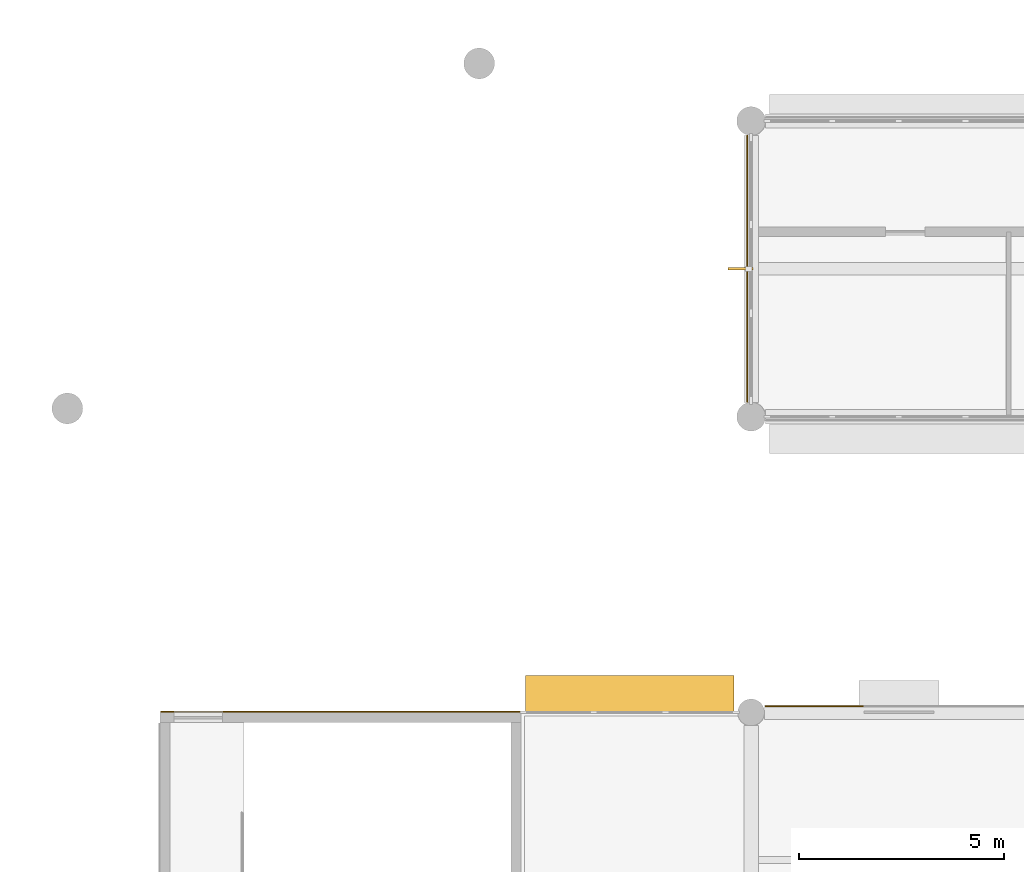
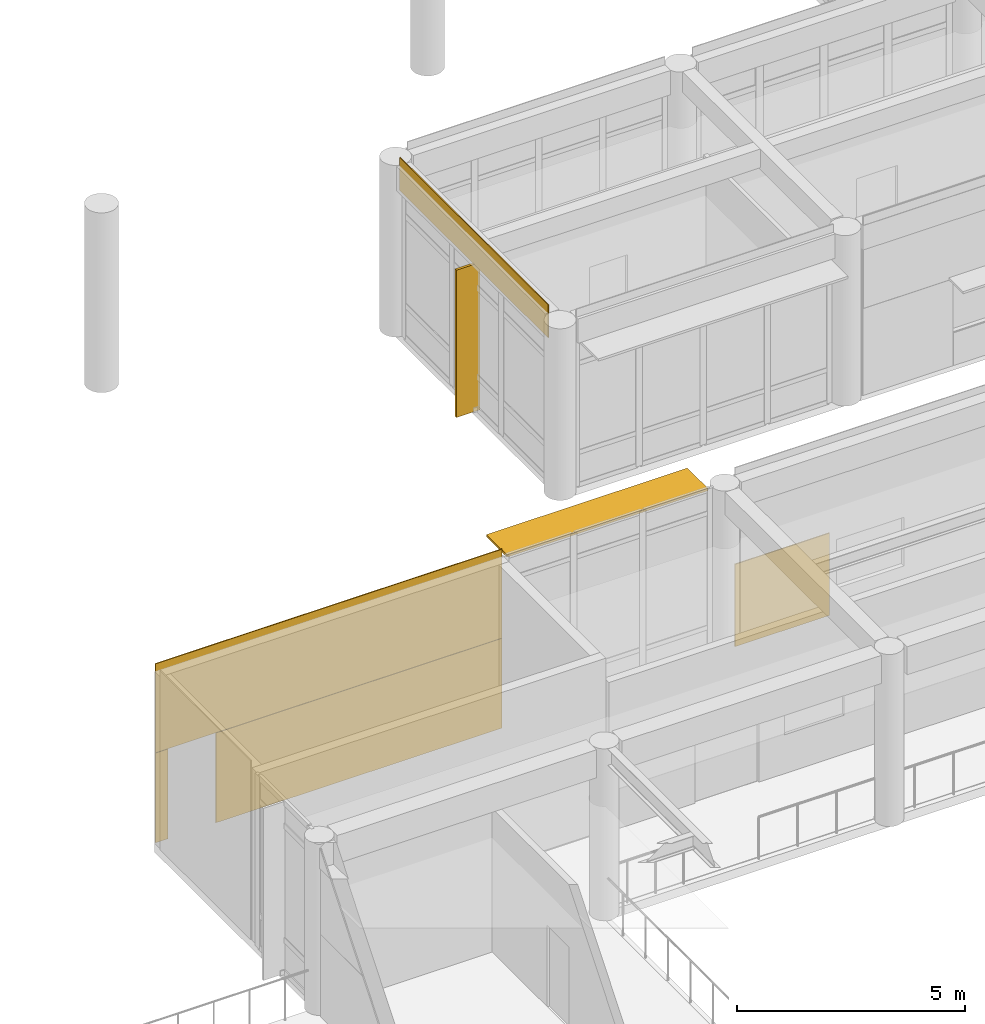
# One storey, part 78 of 92: 5 coverings, 2 shading devices.
"""IFC4 building model written with IfcOpenShell, lengths in metres."""

from ifc_helpers import new_model, si_unit, direction, frame, origin, origin_2d, place, context, subcontext, project, spatial, rectangle, extrude, material, layer, layer_set, type_object, element, save


model = new_model("IFC4")

# Units and contexts
model_context = context("Model", 3, precision=1e-05, world=origin(), true_north=direction((0.0, 1.0)))
body_context = subcontext(model_context, "Body", "Model", "MODEL_VIEW")
ifc_project = project(units=[si_unit("LENGTHUNIT", "METRE"), si_unit("AREAUNIT", "SQUARE_METRE"), si_unit("VOLUMEUNIT", "CUBIC_METRE"), si_unit("PLANEANGLEUNIT", "RADIAN"), si_unit("MASSUNIT", "GRAM", prefix="KILO")], contexts=[model_context])

# Site, building, storey
site_placement = place(None, origin())
site = spatial("IfcSite", under=ifc_project, at=site_placement, CompositionType="ELEMENT")
building_placement = place(site_placement, origin())
building = spatial("IfcBuilding", under=site, at=building_placement, Name="Namkhue Oval Health Centre", CompositionType="ELEMENT")
storey_placement = place(building_placement, frame((0.0, 0.0, 4.800048828125)))
storey = spatial("IfcBuildingStorey", under=building, at=storey_placement, Name="L01", CompositionType="ELEMENT", Elevation=4.800048828125)

# Shading devices
ifc_material_1 = material(Name="Anodised aluminium EN AW-6063 T6", Category="aluminium")
ifc_layer_1 = layer(ifc_material_1, 0.06005859375)
ifc_layer_set_1 = layer_set([ifc_layer_1], Name="Anodised aluminium EN AW-6063 T6")
shading_device_type_1 = type_object("IfcShadingDeviceType", Name="MONSOON SUN LOUVRE 900", PredefinedType="JALOUSIE", material=ifc_layer_set_1)
shading_device_1_placement = place(storey_placement, frame((33.041015625, 83.25, 4.530029296875), z_axis=(0.0, 0.0, 1.0), x_axis=(-1.0, 0.0, 0.0)))
element("IfcShadingDevice", 1, at=shading_device_1_placement, inside=storey, type_object=shading_device_type_1, Name="Volume V1 L01 Horizontal Monsoon Sun Louvre 40", PredefinedType="JALOUSIE", context=body_context, shape_type="SweptSolid", body=[
    extrude(rectangle(XDim=5.077880859375, YDim=0.89990234375, at=origin_2d()), origin(), (0.0, 0.0, 1.0), 0.06005859375),
])
shading_device_type_2 = type_object("IfcShadingDeviceType", Name="VERTICAL SOLAR FIN 600", PredefinedType="USERDEFINED", material=ifc_material_1)
shading_device_2_placement = place(storey_placement, frame((35.739990234375, 93.60009765625, 0.0), z_axis=(0.0, 0.0, 1.0), x_axis=(-1.0, 0.0, 0.0)))
element("IfcShadingDevice", 2, at=shading_device_2_placement, inside=storey, type_object=shading_device_type_2, Name="Volume V2 L01 Extruded Aluminium Solar Fin 76", ObjectType="SOLAR FIN", PredefinedType="USERDEFINED", context=body_context, shape_type="SweptSolid", body=[
    extrude(rectangle(XDim=0.60009765625, YDim=0.06005859375, at=origin_2d()), origin(), (0.0, 0.0, 1.0), 3.93505859375),
])

# Coverings
ifc_material_2 = material(Name="White glass-fibre reinforced concrete GRC rainscreen cladding", Category="concrete")
ifc_layer_2 = layer(ifc_material_2, 0.02490234375)
ifc_layer_set_2 = layer_set([ifc_layer_2], Name="White glass-fibre reinforced concrete GRC rainscreen cladding")
covering_type = type_object("IfcCoveringType", Name="WHITE GRC RAINSCREEN CLADDING 25", PredefinedType="CLADDING", material=ifc_layer_set_2)
covering_1_placement = place(storey_placement, frame((37.53759765625, 82.951904296875, 0.009765625), z_axis=(0.0, 0.0, 1.0), x_axis=(-1.0, 0.0, 0.0)))
element("IfcCovering", 3, at=covering_1_placement, inside=storey, type_object=covering_type, Name="Volume V1 L01 Facade 11 White GRC Cladding 4", PredefinedType="CLADDING", context=body_context, shape_type="SweptSolid", body=[
    extrude(rectangle(XDim=2.39501953125, YDim=0.02490234375, at=origin_2d()), origin(), (0.0, 0.0, 1.0), 2.199951171875),
])
covering_2_placement = place(storey_placement, frame((35.91162109375, 93.60009765625, 3.919921875), z_axis=(0.0, 0.0, 1.0), x_axis=(0.0, -1.0, 0.0)))
element("IfcCovering", 4, at=covering_2_placement, inside=storey, type_object=covering_type, Name="Volume V2 L01 Curtain Wall Spandrel Cladding 60", PredefinedType="CLADDING", context=body_context, shape_type="SweptSolid", body=[
    extrude(rectangle(XDim=6.5, YDim=0.02490234375, at=origin_2d()), origin(), (0.0, 0.0, 1.0), 0.8798828125),
])
covering_3_placement = place(storey_placement, frame((26.0, 82.81201171875, 2.4150390625), z_axis=(0.0, 0.0, 1.0), x_axis=(-1.0, 0.0, 0.0)))
element("IfcCovering", 5, at=covering_3_placement, inside=storey, type_object=covering_type, Name="Core SC-02 L01 Core N White GRC Cladding 1", PredefinedType="CLADDING", context=body_context, shape_type="SweptSolid", body=[
    extrude(rectangle(XDim=8.760009765625, YDim=0.02490234375, at=origin_2d()), origin(), (0.0, 0.0, 1.0), 2.375),
])
covering_4_placement = place(storey_placement, frame((26.762451171875, 82.81201171875, 0.010009765625), z_axis=(0.0, 0.0, 1.0), x_axis=(-1.0, 0.0, 0.0)))
element("IfcCovering", 6, at=covering_4_placement, inside=storey, type_object=covering_type, Name="Core SC-02 L01 Core N White GRC Cladding 2", PredefinedType="CLADDING", context=body_context, shape_type="SweptSolid", body=[
    extrude(rectangle(XDim=7.235107421875, YDim=0.02490234375, at=origin_2d()), origin(), (0.0, 0.0, 1.0), 2.39990234375),
])
covering_5_placement = place(storey_placement, frame((21.777587890625, 82.81201171875, 0.010009765625), z_axis=(0.0, 0.0, 1.0), x_axis=(-1.0, 0.0, 0.0)))
element("IfcCovering", 7, at=covering_5_placement, inside=storey, type_object=covering_type, Name="Core SC-02 L01 Core N White GRC Cladding 4", PredefinedType="CLADDING", context=body_context, shape_type="SweptSolid", body=[
    extrude(rectangle(XDim=0.31494140625, YDim=0.02490234375, at=origin_2d()), origin(), (0.0, 0.0, 1.0), 2.39990234375),
])

save(model, "model.ifc")
